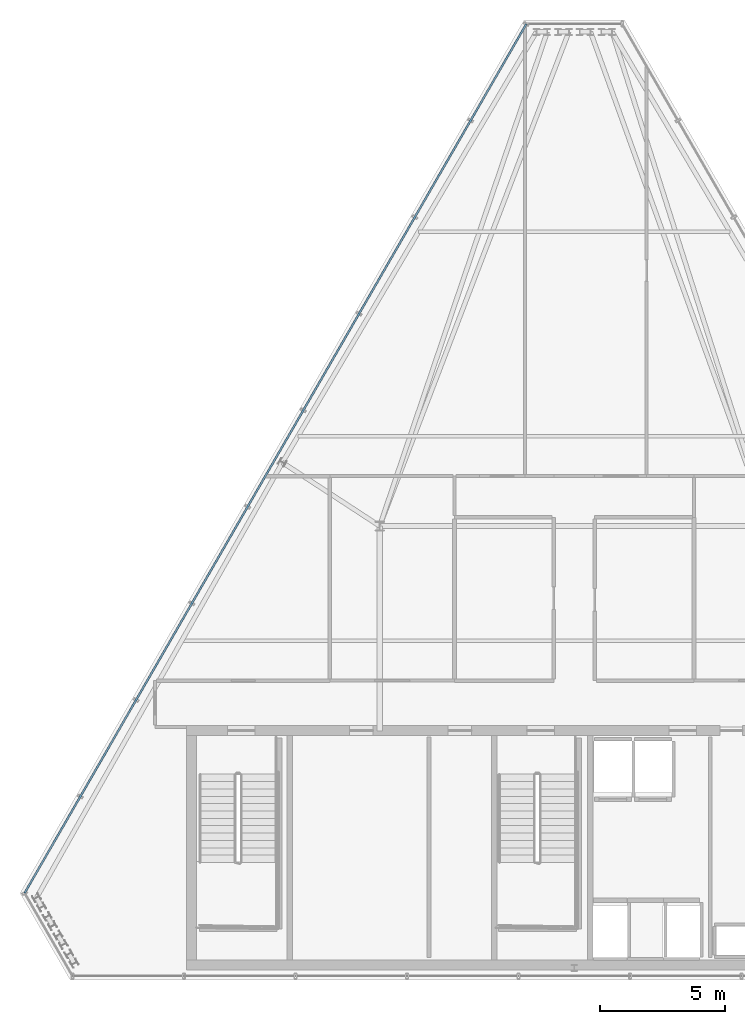
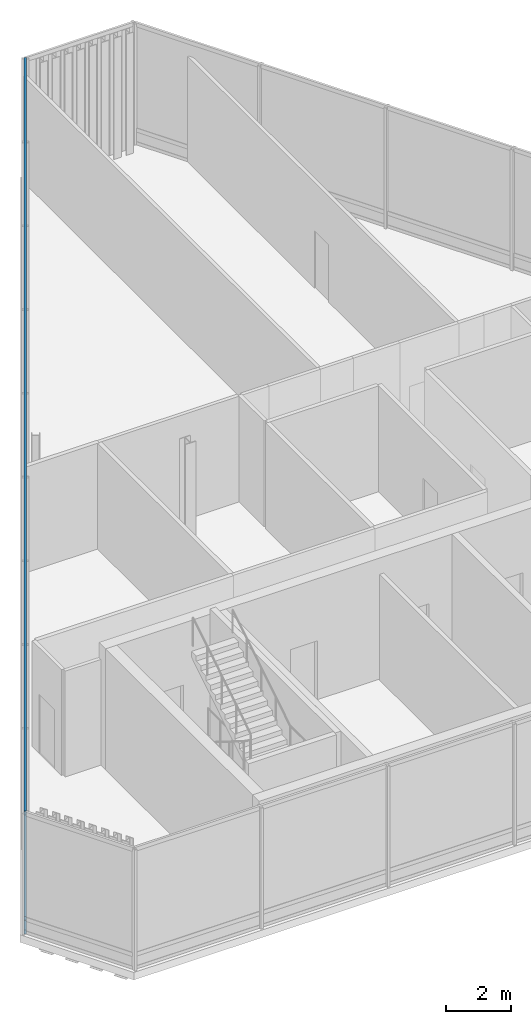
# One storey, part 10 of 25: 3 members, 1 element without a shape of its own.
"""IFC4 building model written with IfcOpenShell, lengths in metres."""

from ifc_helpers import new_model, si_unit, direction, frame, origin, origin_2d, place, context, subcontext, project, spatial, hollow_rectangle, extrude, material, layer, layer_set, material_profile, profile_set, type_object, element, aggregate, save


model = new_model("IFC4")

# Units and contexts
model_context = context("Model", 3, precision=1e-05, world=origin(), true_north=direction((0.0, 1.0)))
body_context = subcontext(model_context, "Body", "Model", "MODEL_VIEW")
ifc_project = project(units=[si_unit("LENGTHUNIT", "METRE"), si_unit("AREAUNIT", "SQUARE_METRE"), si_unit("VOLUMEUNIT", "CUBIC_METRE"), si_unit("PLANEANGLEUNIT", "RADIAN"), si_unit("MASSUNIT", "GRAM", prefix="KILO")], contexts=[model_context])

# Site, building, storey
site_placement = place(None, origin())
site = spatial("IfcSite", under=ifc_project, at=site_placement, CompositionType="ELEMENT")
building_placement = place(site_placement, origin())
building = spatial("IfcBuilding", under=site, at=building_placement, Name="Ndaravel Arena Tower", CompositionType="ELEMENT")
storey_placement = place(building_placement, frame((0.0, 0.0, 298.5)))
storey = spatial("IfcBuildingStorey", under=building, at=storey_placement, Name="L73", CompositionType="ELEMENT", Elevation=298.5)

# Curtain wall, members
ifc_material_1 = material(Name="Aluminium", Category="aluminium")
ifc_layer = layer(ifc_material_1, 0.179931640625)
ifc_layer_set = layer_set([ifc_layer], Name="Aluminium")
curtain_wall_type = type_object("IfcCurtainWallType", Name="CW-SYS-04", PredefinedType="NOTDEFINED", material=ifc_layer_set)
curtain_wall_placement = place(storey_placement, origin())
curtain_wall = element("IfcCurtainWall", 1, at=curtain_wall_placement, inside=storey, type_object=curtain_wall_type, Name="L73 Faceted Crystal Curtain Wall CW-L73-E05", PredefinedType="NOTDEFINED")
ifc_material_2 = material(Name="Aluminium", Category="aluminium")
ifc_material_profile = material_profile(ifc_material_2, hollow_rectangle(XDim=0.074951171875, YDim=0.14990234375, WallThickness=0.00390625, at=origin_2d()), Name="CW TRANSOM 75x150x4")
ifc_profile_set = profile_set([ifc_material_profile], Name="Aluminium")
member_type = type_object("IfcMemberType", Name="MEM-CW-TRN150", PredefinedType="USERDEFINED", material=ifc_profile_set)
member_1_placement = place(storey_placement, frame((40.080078125, 43.325439453125, 0.0400390625), z_axis=(-0.499998418301, -0.866026316977, 0.0), x_axis=(0.866026316977, -0.499998418301, 0.0)))
member_1 = element("IfcMember", 2, at=member_1_placement, type_object=member_type, Name="CW-L73-E05 Transom 01", ObjectType="TRANSOM", PredefinedType="USERDEFINED", context=body_context, shape_type="SweptSolid", body=[
    extrude(hollow_rectangle(XDim=0.074951171875, YDim=0.14990234375, WallThickness=0.00390625, at=origin_2d()), origin(), (0.0, 0.0, 1.0), 40.230224609375),
])
member_2_placement = place(storey_placement, frame((40.080078125, 43.325439453125, 0.550048828125), z_axis=(-0.499998418301, -0.866026316977, 0.0), x_axis=(0.866026316977, -0.499998418301, 0.0)))
member_2 = element("IfcMember", 3, at=member_2_placement, type_object=member_type, Name="CW-L73-E05 Transom 02", ObjectType="TRANSOM", PredefinedType="USERDEFINED", context=body_context, shape_type="SweptSolid", body=[
    extrude(hollow_rectangle(XDim=0.074951171875, YDim=0.14990234375, WallThickness=0.00390625, at=origin_2d()), origin(), (0.0, 0.0, 1.0), 40.230224609375),
])
member_3_placement = place(storey_placement, frame((40.080078125, 43.325439453125, 4.47998046875), z_axis=(-0.499998418301, -0.866026316977, 0.0), x_axis=(0.866026316977, -0.499998418301, 0.0)))
member_3 = element("IfcMember", 4, at=member_3_placement, type_object=member_type, Name="CW-L73-E05 Transom 03", ObjectType="TRANSOM", PredefinedType="USERDEFINED", context=body_context, shape_type="SweptSolid", body=[
    extrude(hollow_rectangle(XDim=0.074951171875, YDim=0.14990234375, WallThickness=0.00390625, at=origin_2d()), origin(), (0.0, 0.0, 1.0), 40.230224609375),
])
aggregate(curtain_wall, [member_1, member_2, member_3])

save(model, "model.ifc")
